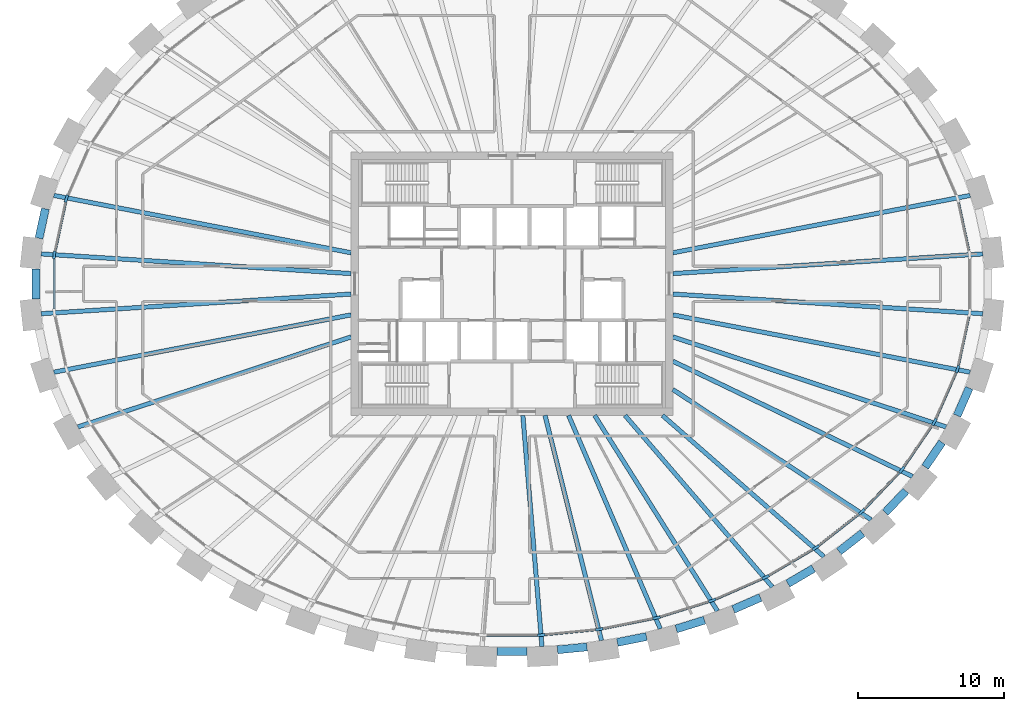
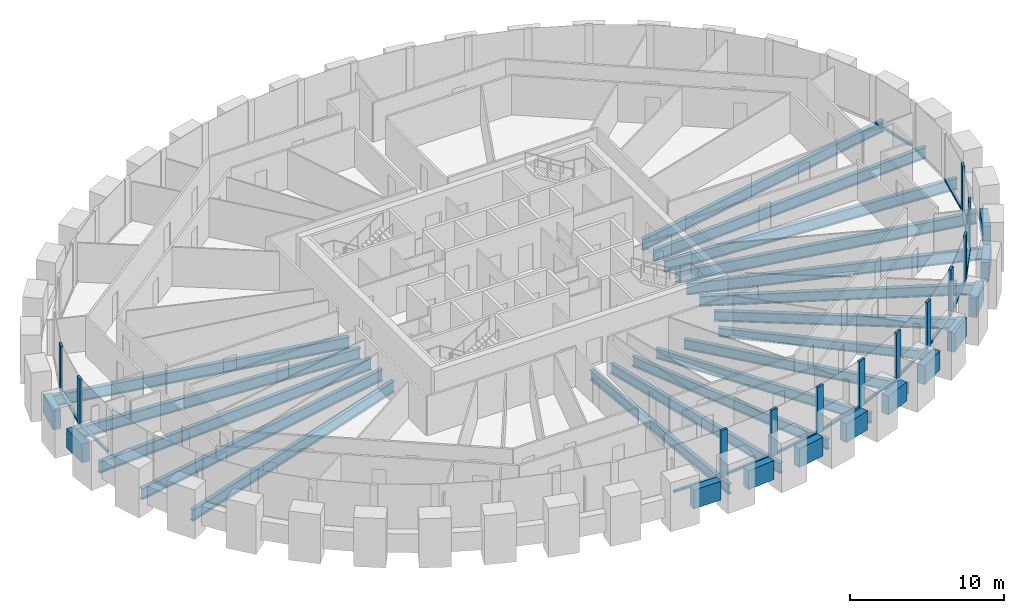
# One storey, part 2 of 12: 30 beams, 26 members, 1 element without a shape of its own.
"""IFC4 building model written with IfcOpenShell, lengths in metres."""

from ifc_helpers import new_model, si_unit, direction, frame, origin, origin_2d, place, context, subcontext, project, spatial, rectangle, i_section, extrude, source, transform, mapped, material, material_profile, profile_set, type_object, element, aggregate, save


model = new_model("IFC4")

# Units and contexts
model_context = context("Model", 3, precision=1e-05, world=origin(), true_north=direction((0.0, 1.0)))
body_context = subcontext(model_context, "Body", "Model", "MODEL_VIEW")
ifc_project = project(units=[si_unit("LENGTHUNIT", "METRE"), si_unit("AREAUNIT", "SQUARE_METRE"), si_unit("VOLUMEUNIT", "CUBIC_METRE"), si_unit("PLANEANGLEUNIT", "RADIAN"), si_unit("MASSUNIT", "GRAM", prefix="KILO")], contexts=[model_context])

# Site, building, storey
site_placement = place(None, origin())
site = spatial("IfcSite", under=ifc_project, at=site_placement, CompositionType="ELEMENT")
building_placement = place(site_placement, origin())
building = spatial("IfcBuilding", under=site, at=building_placement, Name="Embergate Tower", CompositionType="ELEMENT")
storey_placement = place(building_placement, frame((0.0, 0.0, 265.60009765625)))
storey = spatial("IfcBuildingStorey", under=building, at=storey_placement, Name="L61", CompositionType="ELEMENT", Elevation=265.60009765625)

# Beams
ifc_material_1 = material(Name="Concrete C60", Category="concrete")
ifc_material_profile_1 = material_profile(ifc_material_1, rectangle(XDim=0.550048828125, YDim=1.5, at=origin_2d()), Name="RC 550x1500")
ifc_profile_set_1 = profile_set([ifc_material_profile_1], Name="Concrete C60")
beam_type_1 = type_object("IfcBeamType", Name="Spandrel beam RC 550x1500 C60", PredefinedType="BEAM", material=ifc_profile_set_1)
shared_shape_1 = source(origin(), body_context, "Body", "SweptSolid", [
    extrude(rectangle(XDim=0.550048828125, YDim=1.5, at=origin_2d()), origin(), (0.0, 0.0, 1.0), 2.05810546875),
])
for number, where, z_axis, x_axis, name in (
    (1, (-31.910888671875, 5.12890625, 0.0), (-0.210444450804, -0.977605816843, 0.0), (0.977605816843, -0.210444450804, 0.0), "SPN-L61-20"),
    (2, (-32.56591796875, 1.029052734375, 0.0), (0.0, -1.0, 0.0), (1.0, 0.0, 0.0), "SPN-L61-21"),
):
    element("IfcBeam", number, at=place(storey_placement, frame(where, z_axis=z_axis, x_axis=x_axis)), inside=storey, type_object=beam_type_1, Name=name, PredefinedType="BEAM", context=body_context, shape_type="MappedRepresentation", body=[
        mapped(shared_shape_1, transform((0.0, 0.0, 0.0))),
    ])
shared_shape_2 = source(origin(), body_context, "Body", "SweptSolid", [
    extrude(rectangle(XDim=0.550048828125, YDim=1.5, at=origin_2d()), origin(), (0.0, 0.0, 1.0), 2.054443359375),
])
beam_1_placement = place(storey_placement, frame((30.43896484375, -9.008056640625, 0.0), z_axis=(0.402021652571, 0.915630160526, 0.0), x_axis=(-0.915630160526, 0.402021652571, 0.0)))
element("IfcBeam", 3, at=beam_1_placement, inside=storey, type_object=beam_type_1, Name="SPN-L61-41", PredefinedType="BEAM", context=body_context, shape_type="MappedRepresentation", body=[
    mapped(shared_shape_2, transform((0.0, 0.0, 0.0))),
])
shared_shape_3 = source(origin(), body_context, "Body", "SweptSolid", [
    extrude(rectangle(XDim=0.550048828125, YDim=1.5, at=origin_2d()), origin(), (0.0, 0.0, 1.0), 2.046630859375),
])
beam_2_placement = place(storey_placement, frame((28.25390625, -12.528076171875, 0.0), z_axis=(0.562466632366, 0.826819984927, 0.0), x_axis=(-0.826819984927, 0.562466632366, 0.0)))
element("IfcBeam", 4, at=beam_2_placement, inside=storey, type_object=beam_type_1, Name="SPN-L61-40", PredefinedType="BEAM", context=body_context, shape_type="MappedRepresentation", body=[
    mapped(shared_shape_3, transform((0.0, 0.0, 0.0))),
])
shared_shape_4 = source(origin(), body_context, "Body", "SweptSolid", [
    extrude(rectangle(XDim=0.550048828125, YDim=1.5, at=origin_2d()), origin(), (0.0, 0.0, 1.0), 2.042724609375),
])
beam_3_placement = place(storey_placement, frame((25.52490234375, -15.638916015625, 0.0), z_axis=(0.690299494905, 0.723523743448, 0.0), x_axis=(-0.723523743448, 0.690299494905, 0.0)))
element("IfcBeam", 5, at=beam_3_placement, inside=storey, type_object=beam_type_1, Name="SPN-L61-39", PredefinedType="BEAM", context=body_context, shape_type="MappedRepresentation", body=[
    mapped(shared_shape_4, transform((0.0, 0.0, 0.0))),
])
shared_shape_5 = source(origin(), body_context, "Body", "SweptSolid", [
    extrude(rectangle(XDim=0.550048828125, YDim=1.5, at=origin_2d()), origin(), (0.0, 0.0, 1.0), 2.038330078125),
])
beam_4_placement = place(storey_placement, frame((22.362060546875, -18.302978515625, 0.0), z_axis=(0.78838379352, 0.615183707615, 0.0), x_axis=(-0.615183707615, 0.78838379352, 0.0)))
element("IfcBeam", 6, at=beam_4_placement, inside=storey, type_object=beam_type_1, Name="SPN-L61-38", PredefinedType="BEAM", context=body_context, shape_type="MappedRepresentation", body=[
    mapped(shared_shape_5, transform((0.0, 0.0, 0.0))),
])
shared_shape_6 = source(origin(), body_context, "Body", "SweptSolid", [
    extrude(rectangle(XDim=0.550048828125, YDim=1.5, at=origin_2d()), origin(), (0.0, 0.0, 1.0), 2.0322265625),
])
beam_5_placement = place(storey_placement, frame((18.862060546875, -20.4970703125, 0.0), z_axis=(0.862048455152, 0.50682586849, 0.0), x_axis=(-0.50682586849, 0.862048455152, 0.0)))
element("IfcBeam", 7, at=beam_5_placement, inside=storey, type_object=beam_type_1, Name="SPN-L61-37", PredefinedType="BEAM", context=body_context, shape_type="MappedRepresentation", body=[
    mapped(shared_shape_6, transform((0.0, 0.0, 0.0))),
])
shared_shape_7 = source(origin(), body_context, "Body", "SweptSolid", [
    extrude(rectangle(XDim=0.550048828125, YDim=1.5, at=origin_2d()), origin(), (0.0, 0.0, 1.0), 2.03076171875),
])
beam_6_placement = place(storey_placement, frame((15.131103515625, -22.264892578125, 0.0), z_axis=(0.916361402872, 0.400352069216, 0.0), x_axis=(-0.400352069216, 0.916361402872, 0.0)))
element("IfcBeam", 8, at=beam_6_placement, inside=storey, type_object=beam_type_1, Name="SPN-L61-36", PredefinedType="BEAM", context=body_context, shape_type="MappedRepresentation", body=[
    mapped(shared_shape_7, transform((0.0, 0.0, 0.0))),
])
shared_shape_8 = source(origin(), body_context, "Body", "SweptSolid", [
    extrude(rectangle(XDim=0.550048828125, YDim=1.5, at=origin_2d()), origin(), (0.0, 0.0, 1.0), 2.02880859375),
])
beam_7_placement = place(storey_placement, frame((11.22705078125, -23.60205078125, 0.0), z_axis=(0.954800624546, 0.297246980417, 0.0), x_axis=(-0.297246980417, 0.954800624546, 0.0)))
element("IfcBeam", 9, at=beam_7_placement, inside=storey, type_object=beam_type_1, Name="SPN-L61-35", PredefinedType="BEAM", context=body_context, shape_type="MappedRepresentation", body=[
    mapped(shared_shape_8, transform((0.0, 0.0, 0.0))),
])
shared_shape_9 = source(origin(), body_context, "Body", "SweptSolid", [
    extrude(rectangle(XDim=0.550048828125, YDim=1.5, at=origin_2d()), origin(), (0.0, 0.0, 1.0), 2.02734375),
])
beam_8_placement = place(storey_placement, frame((7.2041015625, -24.52001953125, 0.0), z_axis=(0.980543602706, 0.196301409041, 0.0), x_axis=(-0.196301409041, 0.980543602706, 0.0)))
element("IfcBeam", 10, at=beam_8_placement, inside=storey, type_object=beam_type_1, Name="SPN-L61-34", PredefinedType="BEAM", context=body_context, shape_type="MappedRepresentation", body=[
    mapped(shared_shape_9, transform((0.0, 0.0, 0.0))),
])
shared_shape_10 = source(origin(), body_context, "Body", "SweptSolid", [
    extrude(rectangle(XDim=0.550048828125, YDim=1.5, at=origin_2d()), origin(), (0.0, 0.0, 1.0), 2.025634765625),
])
beam_9_placement = place(storey_placement, frame((3.111083984375, -25.028076171875, 0.0), z_axis=(0.995211067802, 0.097749324935, 0.0), x_axis=(-0.097749324935, 0.995211067802, 0.0)))
element("IfcBeam", 11, at=beam_9_placement, inside=storey, type_object=beam_type_1, Name="SPN-L61-33", PredefinedType="BEAM", context=body_context, shape_type="MappedRepresentation", body=[
    mapped(shared_shape_10, transform((0.0, 0.0, 0.0))),
])
shared_shape_11 = source(origin(), body_context, "Body", "SweptSolid", [
    extrude(rectangle(XDim=0.550048828125, YDim=1.5, at=origin_2d()), origin(), (0.0, 0.0, 1.0), 2.02587890625),
])
beam_10_placement = place(storey_placement, frame((-1.012939453125, -25.131103515625, 0.0), z_axis=(1.0, 0.0, 0.0), x_axis=(0.0, 1.0, 0.0)))
element("IfcBeam", 12, at=beam_10_placement, inside=storey, type_object=beam_type_1, Name="SPN-L61-32", PredefinedType="BEAM", context=body_context, shape_type="MappedRepresentation", body=[
    mapped(shared_shape_11, transform((0.0, 0.0, 0.0))),
])
ifc_material_2 = material(Name="Steel Q355B", Category="steel")
ifc_material_profile_2 = material_profile(ifc_material_2, i_section(OverallWidth=0.300048828125, OverallDepth=0.89990234375, WebThickness=0.01611328125, FlangeThickness=0.028076171875, FilletRadius=0.028076171875, at=origin_2d()), Name="HN 900x300x16x28")
ifc_profile_set_2 = profile_set([ifc_material_profile_2], Name="Steel Q355 grade B")
beam_type_2 = type_object("IfcBeamType", Name="Radial girder HN 900x300x16x28", PredefinedType="BEAM", material=ifc_profile_set_2)
shared_shape_12 = source(origin(), body_context, "Body", "SweptSolid", [
    extrude(i_section(OverallWidth=0.300048828125, OverallDepth=0.89990234375, WebThickness=0.01611328125, FlangeThickness=0.028076171875, FilletRadius=0.028076171875, at=origin_2d()), origin(), (0.0, 0.0, 1.0), 21.233642578125),
])
for number, where, z_axis, x_axis, name in (
    (13, (32.19091796875, 2.044921875, -0.650146484375), (-0.99798898664, -0.063387558277, 0.0), (0.063387558277, -0.99798898664, 0.0), "GIR-L61-00"),
    (14, (-32.19091796875, 2.044921875, -0.650146484375), (0.99798898664, -0.063387558277, 0.0), (0.063387558277, 0.99798898664, 0.0), "GIR-L61-21"),
    (15, (-32.19091796875, -2.044921875, -0.650146484375), (0.99798898664, 0.063387558277, 0.0), (-0.063387558277, 0.99798898664, 0.0), "GIR-L61-22"),
    (16, (32.19091796875, -2.044921875, -0.650146484375), (-0.99798898664, 0.063387558277, 0.0), (-0.063387558277, -0.99798898664, 0.0), "GIR-L61-43"),
):
    element("IfcBeam", number, at=place(storey_placement, frame(where, z_axis=z_axis, x_axis=x_axis)), inside=storey, type_object=beam_type_2, Name=name, PredefinedType="BEAM", context=body_context, shape_type="MappedRepresentation", body=[
        mapped(shared_shape_12, transform((0.0, 0.0, 0.0))),
    ])
shared_shape_13 = source(origin(), body_context, "Body", "SweptSolid", [
    extrude(i_section(OverallWidth=0.300048828125, OverallDepth=0.89990234375, WebThickness=0.01611328125, FlangeThickness=0.028076171875, FilletRadius=0.028076171875, at=origin_2d()), origin(), (0.0, 0.0, 1.0), 20.704833984375),
])
for number, where, z_axis, x_axis, name in (
    (17, (31.330078125, 6.0439453125, -0.650146484375), (-0.981896609236, -0.189417656965, 0.0), (0.189417656965, -0.981896609236, 0.0), "GIR-L61-01"),
    (18, (-31.330078125, 6.0439453125, -0.650146484375), (0.981896609236, -0.189417656965, 0.0), (0.189417656965, 0.981896609236, 0.0), "GIR-L61-20"),
    (19, (-31.330078125, -6.0439453125, -0.650146484375), (0.981896609236, 0.189417656965, 0.0), (-0.189417656965, 0.981896609236, 0.0), "GIR-L61-23"),
    (20, (31.330078125, -6.0439453125, -0.650146484375), (-0.981896609236, 0.189417656965, 0.0), (-0.189417656965, -0.981896609236, 0.0), "GIR-L61-42"),
):
    element("IfcBeam", number, at=place(storey_placement, frame(where, z_axis=z_axis, x_axis=x_axis)), inside=storey, type_object=beam_type_2, Name=name, PredefinedType="BEAM", context=body_context, shape_type="MappedRepresentation", body=[
        mapped(shared_shape_13, transform((0.0, 0.0, 0.0))),
    ])
shared_shape_14 = source(origin(), body_context, "Body", "SweptSolid", [
    extrude(i_section(OverallWidth=0.300048828125, OverallDepth=0.89990234375, WebThickness=0.01611328125, FlangeThickness=0.028076171875, FilletRadius=0.028076171875, at=origin_2d()), origin(), (0.0, 0.0, 1.0), 19.67578125),
])
for number, where, z_axis, x_axis, name in (
    (21, (-29.68603515625, -9.7900390625, -0.650146484375), (0.949693396369, 0.313181182215, 0.0), (-0.313181182215, 0.949693396369, 0.0), "GIR-L61-24"),
    (22, (29.68603515625, -9.7900390625, -0.650146484375), (-0.949693396369, 0.313181182215, 0.0), (-0.313181182215, -0.949693396369, 0.0), "GIR-L61-41"),
):
    element("IfcBeam", number, at=place(storey_placement, frame(where, z_axis=z_axis, x_axis=x_axis)), inside=storey, type_object=beam_type_2, Name=name, PredefinedType="BEAM", context=body_context, shape_type="MappedRepresentation", body=[
        mapped(shared_shape_14, transform((0.0, 0.0, 0.0))),
    ])
ifc_material_profile_3 = material_profile(ifc_material_2, i_section(OverallWidth=0.300048828125, OverallDepth=0.800048828125, WebThickness=0.013916015625, FlangeThickness=0.02587890625, FilletRadius=0.028076171875, at=origin_2d()), Name="HN 800x300x14x26")
ifc_profile_set_3 = profile_set([ifc_material_profile_3], Name="Steel Q355 grade B")
beam_type_3 = type_object("IfcBeamType", Name="Radial girder HN 800x300x14x26", PredefinedType="BEAM", material=ifc_profile_set_3)
shared_shape_15 = source(origin(), body_context, "Body", "SweptSolid", [
    extrude(i_section(OverallWidth=0.300048828125, OverallDepth=0.800048828125, WebThickness=0.013916015625, FlangeThickness=0.02587890625, FilletRadius=0.028076171875, at=origin_2d()), origin(), (0.0, 0.0, 1.0), 18.182373046875),
])
beam_11_placement = place(storey_placement, frame((27.385009765625, -13.174072265625, -0.60009765625), z_axis=(-0.901152068073, 0.433503114415, 0.0), x_axis=(-0.433503114415, -0.901152068073, 0.0)))
element("IfcBeam", 23, at=beam_11_placement, inside=storey, type_object=beam_type_3, Name="GIR-L61-40", PredefinedType="BEAM", context=body_context, shape_type="MappedRepresentation", body=[
    mapped(shared_shape_15, transform((0.0, 0.0, 0.0))),
])
shared_shape_16 = source(origin(), body_context, "Body", "SweptSolid", [
    extrude(i_section(OverallWidth=0.300048828125, OverallDepth=0.800048828125, WebThickness=0.013916015625, FlangeThickness=0.02587890625, FilletRadius=0.028076171875, at=origin_2d()), origin(), (0.0, 0.0, 1.0), 16.224853515625),
])
beam_12_placement = place(storey_placement, frame((24.56005859375, -16.135986328125, -0.60009765625), z_axis=(-0.83576092079, 0.549093510506, 0.0), x_axis=(-0.549093510506, -0.83576092079, 0.0)))
element("IfcBeam", 24, at=beam_12_placement, inside=storey, type_object=beam_type_3, Name="GIR-L61-39", PredefinedType="BEAM", context=body_context, shape_type="MappedRepresentation", body=[
    mapped(shared_shape_16, transform((0.0, 0.0, 0.0))),
])
ifc_material_profile_4 = material_profile(ifc_material_2, i_section(OverallWidth=0.300048828125, OverallDepth=0.699951171875, WebThickness=0.012939453125, FlangeThickness=0.02392578125, FilletRadius=0.01806640625, at=origin_2d()), Name="HN 700x300x13x24")
ifc_profile_set_4 = profile_set([ifc_material_profile_4], Name="Steel Q355 grade B")
beam_type_4 = type_object("IfcBeamType", Name="Radial girder HN 700x300x13x24", PredefinedType="BEAM", material=ifc_profile_set_4)
shared_shape_17 = source(origin(), body_context, "Body", "SweptSolid", [
    extrude(i_section(OverallWidth=0.300048828125, OverallDepth=0.699951171875, WebThickness=0.012939453125, FlangeThickness=0.02392578125, FilletRadius=0.01806640625, at=origin_2d()), origin(), (0.0, 0.0, 1.0), 14.66845703125),
])
beam_13_placement = place(storey_placement, frame((21.3330078125, -18.656005859375, -0.550048828125), z_axis=(-0.752770497305, 0.658283053395, 0.0), x_axis=(-0.658283053395, -0.752770497305, 0.0)))
element("IfcBeam", 25, at=beam_13_placement, inside=storey, type_object=beam_type_4, Name="GIR-L61-38", PredefinedType="BEAM", context=body_context, shape_type="MappedRepresentation", body=[
    mapped(shared_shape_17, transform((0.0, 0.0, 0.0))),
])
shared_shape_18 = source(origin(), body_context, "Body", "SweptSolid", [
    extrude(i_section(OverallWidth=0.300048828125, OverallDepth=0.800048828125, WebThickness=0.013916015625, FlangeThickness=0.02587890625, FilletRadius=0.028076171875, at=origin_2d()), origin(), (0.0, 0.0, 1.0), 15.462890625),
])
beam_14_placement = place(storey_placement, frame((17.802978515625, -20.73095703125, -0.60009765625), z_axis=(-0.651494533004, 0.75865332891, 0.0), x_axis=(-0.75865332891, -0.651494533004, 0.0)))
element("IfcBeam", 26, at=beam_14_placement, inside=storey, type_object=beam_type_3, Name="GIR-L61-37", PredefinedType="BEAM", context=body_context, shape_type="MappedRepresentation", body=[
    mapped(shared_shape_18, transform((0.0, 0.0, 0.0))),
])
shared_shape_19 = source(origin(), body_context, "Body", "SweptSolid", [
    extrude(i_section(OverallWidth=0.300048828125, OverallDepth=0.800048828125, WebThickness=0.013916015625, FlangeThickness=0.02587890625, FilletRadius=0.028076171875, at=origin_2d()), origin(), (0.0, 0.0, 1.0), 15.791015625),
])
beam_15_placement = place(storey_placement, frame((14.051025390625, -22.3720703125, -0.60009765625), z_axis=(-0.531882110567, 0.846818410557, 0.0), x_axis=(-0.846818410557, -0.531882110567, 0.0)))
element("IfcBeam", 27, at=beam_15_placement, inside=storey, type_object=beam_type_3, Name="GIR-L61-36", PredefinedType="BEAM", context=body_context, shape_type="MappedRepresentation", body=[
    mapped(shared_shape_19, transform((0.0, 0.0, 0.0))),
])
shared_shape_20 = source(origin(), body_context, "Body", "SweptSolid", [
    extrude(i_section(OverallWidth=0.300048828125, OverallDepth=0.800048828125, WebThickness=0.013916015625, FlangeThickness=0.02587890625, FilletRadius=0.028076171875, at=origin_2d()), origin(), (0.0, 0.0, 1.0), 15.881103515625),
])
beam_16_placement = place(storey_placement, frame((10.14111328125, -23.590087890625, -0.60009765625), z_axis=(-0.394946920714, 0.918703940243, 0.0), x_axis=(-0.918703940243, -0.394946920714, 0.0)))
element("IfcBeam", 28, at=beam_16_placement, inside=storey, type_object=beam_type_3, Name="GIR-L61-35", PredefinedType="BEAM", context=body_context, shape_type="MappedRepresentation", body=[
    mapped(shared_shape_20, transform((0.0, 0.0, 0.0))),
])
shared_shape_21 = source(origin(), body_context, "Body", "SweptSolid", [
    extrude(i_section(OverallWidth=0.300048828125, OverallDepth=0.800048828125, WebThickness=0.013916015625, FlangeThickness=0.02587890625, FilletRadius=0.028076171875, at=origin_2d()), origin(), (0.0, 0.0, 1.0), 15.872802734375),
])
beam_17_placement = place(storey_placement, frame((6.1240234375, -24.39501953125, -0.60009765625), z_axis=(-0.243498181484, 0.969901353548, 0.0), x_axis=(-0.969901353548, -0.243498181484, 0.0)))
element("IfcBeam", 29, at=beam_17_placement, inside=storey, type_object=beam_type_3, Name="GIR-L61-34", PredefinedType="BEAM", context=body_context, shape_type="MappedRepresentation", body=[
    mapped(shared_shape_21, transform((0.0, 0.0, 0.0))),
])
shared_shape_22 = source(origin(), body_context, "Body", "SweptSolid", [
    extrude(i_section(OverallWidth=0.300048828125, OverallDepth=0.800048828125, WebThickness=0.013916015625, FlangeThickness=0.02587890625, FilletRadius=0.028076171875, at=origin_2d()), origin(), (0.0, 0.0, 1.0), 15.849609375),
])
beam_18_placement = place(storey_placement, frame((2.048095703125, -24.7958984375, -0.60009765625), z_axis=(-0.082346886075, 0.996603727845, 0.0), x_axis=(-0.996603727845, -0.082346886075, 0.0)))
element("IfcBeam", 30, at=beam_18_placement, inside=storey, type_object=beam_type_3, Name="GIR-L61-33", PredefinedType="BEAM", context=body_context, shape_type="MappedRepresentation", body=[
    mapped(shared_shape_22, transform((0.0, 0.0, 0.0))),
])

# Curtain wall, members
ifc_material_3 = material(Name="Aluminium and glass", Category="aluminium")
curtain_wall_type = type_object("IfcCurtainWallType", Name="Recessed office glazing", PredefinedType="NOTDEFINED", material=ifc_material_3)
curtain_wall_placement = place(storey_placement, origin())
curtain_wall = element("IfcCurtainWall", 31, at=curtain_wall_placement, inside=storey, type_object=curtain_wall_type, Name="Recessed office glazing ring", ObjectType="RECESSED OFFICE GLAZING", PredefinedType="USERDEFINED")
ifc_material_4 = material(Name="Aluminium, thermally broken", Category="aluminium")
ifc_material_profile_5 = material_profile(ifc_material_4, rectangle(XDim=0.179931640625, YDim=0.52001953125, at=origin_2d()), Name="AL 520x180")
ifc_profile_set_5 = profile_set([ifc_material_profile_5], Name="Aluminium, thermally broken")
member_type_1 = type_object("IfcMemberType", Name="Office mullion", PredefinedType="MULLION", material=ifc_profile_set_5)
shared_shape_23 = source(origin(), body_context, "Body", "SweptSolid", [
    extrude(rectangle(XDim=0.179931640625, YDim=0.52001953125, at=origin_2d()), origin(), (0.0, 0.0, 1.0), 3.699951171875),
])
member_1_placement = place(storey_placement, frame((-30.47119140625, 5.82861328125, 0.0), z_axis=(0.0, 0.0, 1.0), x_axis=(0.951492965233, -0.307670500881, 0.0)))
member_1 = element("IfcMember", 32, at=member_1_placement, type_object=member_type_1, Name="CW mullion 21", PredefinedType="MULLION", context=body_context, shape_type="MappedRepresentation", body=[
    mapped(shared_shape_23, transform((0.0, 0.0, 0.0))),
])
member_2_placement = place(storey_placement, frame((-31.301513671875, 1.971435546875, 0.0), z_axis=(0.0, 0.0, 1.0), x_axis=(0.994384215926, -0.105830199459, 0.0)))
member_2 = element("IfcMember", 33, at=member_2_placement, type_object=member_type_1, Name="CW mullion 22", PredefinedType="MULLION", context=body_context, shape_type="MappedRepresentation", body=[
    mapped(shared_shape_23, transform((0.0, 0.0, 0.0))),
])
member_3_placement = place(storey_placement, frame((1.9970703125, -24.020263671875, 0.0), z_axis=(0.0, 0.0, 1.0), x_axis=(-0.048970053385, 0.998800247232, 0.0)))
member_3 = element("IfcMember", 34, at=member_3_placement, type_object=member_type_1, Name="CW mullion 34", PredefinedType="MULLION", context=body_context, shape_type="MappedRepresentation", body=[
    mapped(shared_shape_23, transform((0.0, 0.0, 0.0))),
])
member_4_placement = place(storey_placement, frame((5.9716796875, -23.629638671875, 0.0), z_axis=(0.0, 0.0, 1.0), x_axis=(-0.147408930294, 0.989075632735, 0.0)))
member_4 = element("IfcMember", 35, at=member_4_placement, type_object=member_type_1, Name="CW mullion 35", PredefinedType="MULLION", context=body_context, shape_type="MappedRepresentation", body=[
    mapped(shared_shape_23, transform((0.0, 0.0, 0.0))),
])
member_5_placement = place(storey_placement, frame((9.885986328125, -22.844482421875, 0.0), z_axis=(0.0, 0.0, 1.0), x_axis=(-0.24730680803, 0.968937223303, 0.0)))
member_5 = element("IfcMember", 36, at=member_5_placement, type_object=member_type_1, Name="CW mullion 36", PredefinedType="MULLION", context=body_context, shape_type="MappedRepresentation", body=[
    mapped(shared_shape_23, transform((0.0, 0.0, 0.0))),
])
member_6_placement = place(storey_placement, frame((13.69580078125, -21.657958984375, 0.0), z_axis=(0.0, 0.0, 1.0), x_axis=(-0.349496141799, 0.936937803094, 0.0)))
member_6 = element("IfcMember", 37, at=member_6_placement, type_object=member_type_1, Name="CW mullion 37", PredefinedType="MULLION", context=body_context, shape_type="MappedRepresentation", body=[
    mapped(shared_shape_23, transform((0.0, 0.0, 0.0))),
])
member_7_placement = place(storey_placement, frame((17.34912109375, -20.060791015625, 0.0), z_axis=(0.0, 0.0, 1.0), x_axis=(-0.454503607328, 0.89074489666, 0.0)))
member_7 = element("IfcMember", 38, at=member_7_placement, type_object=member_type_1, Name="CW mullion 38", PredefinedType="MULLION", context=body_context, shape_type="MappedRepresentation", body=[
    mapped(shared_shape_23, transform((0.0, 0.0, 0.0))),
])
member_8_placement = place(storey_placement, frame((20.781982421875, -18.042236328125, 0.0), z_axis=(0.0, 0.0, 1.0), x_axis=(-0.562207514921, 0.82699619719, 0.0)))
member_8 = element("IfcMember", 39, at=member_8_placement, type_object=member_type_1, Name="CW mullion 39", PredefinedType="MULLION", context=body_context, shape_type="MappedRepresentation", body=[
    mapped(shared_shape_23, transform((0.0, 0.0, 0.0))),
])
member_9_placement = place(storey_placement, frame((23.9169921875, -15.595703125, 0.0), z_axis=(0.0, 0.0, 1.0), x_axis=(-0.671216184057, 0.741261650337, 0.0)))
member_9 = element("IfcMember", 40, at=member_9_placement, type_object=member_type_1, Name="CW mullion 40", PredefinedType="MULLION", context=body_context, shape_type="MappedRepresentation", body=[
    mapped(shared_shape_23, transform((0.0, 0.0, 0.0))),
])
member_10_placement = place(storey_placement, frame((26.656494140625, -12.72314453125, 0.0), z_axis=(0.0, 0.0, 1.0), x_axis=(-0.777861596203, 0.628435626897, 0.0)))
member_10 = element("IfcMember", 41, at=member_10_placement, type_object=member_type_1, Name="CW mullion 41", PredefinedType="MULLION", context=body_context, shape_type="MappedRepresentation", body=[
    mapped(shared_shape_23, transform((0.0, 0.0, 0.0))),
])
member_11_placement = place(storey_placement, frame((28.8837890625, -9.447998046875, 0.0), z_axis=(0.0, 0.0, 1.0), x_axis=(-0.874992601244, 0.484136290489, 0.0)))
member_11 = element("IfcMember", 42, at=member_11_placement, type_object=member_type_1, Name="CW mullion 42", PredefinedType="MULLION", context=body_context, shape_type="MappedRepresentation", body=[
    mapped(shared_shape_23, transform((0.0, 0.0, 0.0))),
])
member_12_placement = place(storey_placement, frame((30.47119140625, -5.82861328125, 0.0), z_axis=(0.0, 0.0, 1.0), x_axis=(-0.951492965233, 0.307670500881, 0.0)))
member_12 = element("IfcMember", 43, at=member_12_placement, type_object=member_type_1, Name="CW mullion 43", PredefinedType="MULLION", context=body_context, shape_type="MappedRepresentation", body=[
    mapped(shared_shape_23, transform((0.0, 0.0, 0.0))),
])
ifc_material_profile_6 = material_profile(ifc_material_4, rectangle(XDim=0.179931640625, YDim=0.14990234375, at=origin_2d()), Name="AL 150x180")
ifc_profile_set_6 = profile_set([ifc_material_profile_6], Name="Aluminium, thermally broken")
member_type_2 = type_object("IfcMemberType", Name="Office sill transom", PredefinedType="USERDEFINED", material=ifc_profile_set_6)
shared_shape_24 = source(origin(), body_context, "Body", "SweptSolid", [
    extrude(rectangle(XDim=0.179931640625, YDim=0.14990234375, at=origin_2d()), origin(), (0.0, 0.0, 1.0), 3.42529296875),
])
member_13_placement = place(storey_placement, frame((31.24658203125, 2.2255859375, 0.074951171875), z_axis=(-0.210405171299, 0.977614271526, 0.0), x_axis=(-0.977614271526, -0.210405171299, 0.0)))
member_13 = element("IfcMember", 44, at=member_13_placement, type_object=member_type_2, Name="CW transom 1.1", ObjectType="TRANSOM", PredefinedType="USERDEFINED", context=body_context, shape_type="MappedRepresentation", body=[
    mapped(shared_shape_24, transform((0.0, 0.0, 0.0))),
])
member_14_placement = place(storey_placement, frame((-30.52587890625, 5.57421875, 0.074951171875), z_axis=(-0.210405171299, -0.977614271526, 0.0), x_axis=(0.977614271526, -0.210405171299, 0.0)))
member_14 = element("IfcMember", 45, at=member_14_placement, type_object=member_type_2, Name="CW transom 21.1", ObjectType="TRANSOM", PredefinedType="USERDEFINED", context=body_context, shape_type="MappedRepresentation", body=[
    mapped(shared_shape_24, transform((0.0, 0.0, 0.0))),
])
member_15_placement = place(storey_placement, frame((30.52587890625, -5.57421875, 0.074951171875), z_axis=(0.210405171299, 0.977614271526, 0.0), x_axis=(-0.977614271526, 0.210405171299, 0.0)))
member_15 = element("IfcMember", 46, at=member_15_placement, type_object=member_type_2, Name="CW transom 43.1", ObjectType="TRANSOM", PredefinedType="USERDEFINED", context=body_context, shape_type="MappedRepresentation", body=[
    mapped(shared_shape_24, transform((0.0, 0.0, 0.0))),
])
shared_shape_25 = source(origin(), body_context, "Body", "SweptSolid", [
    extrude(rectangle(XDim=0.179931640625, YDim=0.14990234375, at=origin_2d()), origin(), (0.0, 0.0, 1.0), 3.43212890625),
])
member_16_placement = place(storey_placement, frame((28.98828125, -9.209716796875, 0.074951171875), z_axis=(0.401632188585, 0.915801061963, 0.0), x_axis=(-0.915801061963, 0.401632188585, 0.0)))
member_16 = element("IfcMember", 47, at=member_16_placement, type_object=member_type_2, Name="CW transom 42.1", ObjectType="TRANSOM", PredefinedType="USERDEFINED", context=body_context, shape_type="MappedRepresentation", body=[
    mapped(shared_shape_25, transform((0.0, 0.0, 0.0))),
])
shared_shape_26 = source(origin(), body_context, "Body", "SweptSolid", [
    extrude(rectangle(XDim=0.179931640625, YDim=0.14990234375, at=origin_2d()), origin(), (0.0, 0.0, 1.0), 3.44091796875),
])
member_17_placement = place(storey_placement, frame((26.802490234375, -12.508056640625, 0.074951171875), z_axis=(0.562372122954, 0.826884269607, 0.0), x_axis=(-0.826884269607, 0.562372122954, 0.0)))
member_17 = element("IfcMember", 48, at=member_17_placement, type_object=member_type_2, Name="CW transom 41.1", ObjectType="TRANSOM", PredefinedType="USERDEFINED", context=body_context, shape_type="MappedRepresentation", body=[
    mapped(shared_shape_26, transform((0.0, 0.0, 0.0))),
])
shared_shape_27 = source(origin(), body_context, "Body", "SweptSolid", [
    extrude(rectangle(XDim=0.179931640625, YDim=0.14990234375, at=origin_2d()), origin(), (0.0, 0.0, 1.0), 3.449462890625),
])
member_18_placement = place(storey_placement, frame((24.096435546875, -15.407470703125, 0.074951171875), z_axis=(0.690133956855, 0.723681643815, 0.0), x_axis=(-0.723681643815, 0.690133956855, 0.0)))
member_18 = element("IfcMember", 49, at=member_18_placement, type_object=member_type_2, Name="CW transom 40.1", ObjectType="TRANSOM", PredefinedType="USERDEFINED", context=body_context, shape_type="MappedRepresentation", body=[
    mapped(shared_shape_27, transform((0.0, 0.0, 0.0))),
])
shared_shape_28 = source(origin(), body_context, "Body", "SweptSolid", [
    extrude(rectangle(XDim=0.179931640625, YDim=0.14990234375, at=origin_2d()), origin(), (0.0, 0.0, 1.0), 3.456787109375),
])
member_19_placement = place(storey_placement, frame((20.987060546875, -17.88232421875, 0.074951171875), z_axis=(0.788343354806, 0.615235528016, 0.0), x_axis=(-0.615235528016, 0.788343354806, 0.0)))
member_19 = element("IfcMember", 50, at=member_19_placement, type_object=member_type_2, Name="CW transom 39.1", ObjectType="TRANSOM", PredefinedType="USERDEFINED", context=body_context, shape_type="MappedRepresentation", body=[
    mapped(shared_shape_28, transform((0.0, 0.0, 0.0))),
])
shared_shape_29 = source(origin(), body_context, "Body", "SweptSolid", [
    extrude(rectangle(XDim=0.179931640625, YDim=0.14990234375, at=origin_2d()), origin(), (0.0, 0.0, 1.0), 3.462646484375),
])
member_20_placement = place(storey_placement, frame((17.572998046875, -19.928955078125, 0.074951171875), z_axis=(0.862068308193, 0.506792099394, 0.0), x_axis=(-0.506792099394, 0.862068308193, 0.0)))
member_20 = element("IfcMember", 51, at=member_20_placement, type_object=member_type_2, Name="CW transom 38.1", ObjectType="TRANSOM", PredefinedType="USERDEFINED", context=body_context, shape_type="MappedRepresentation", body=[
    mapped(shared_shape_29, transform((0.0, 0.0, 0.0))),
])
shared_shape_30 = source(origin(), body_context, "Body", "SweptSolid", [
    extrude(rectangle(XDim=0.179931640625, YDim=0.14990234375, at=origin_2d()), origin(), (0.0, 0.0, 1.0), 3.467041015625),
])
member_21_placement = place(storey_placement, frame((13.93408203125, -21.553955078125, 0.074951171875), z_axis=(0.916217122843, 0.400682148104, 0.0), x_axis=(-0.400682148104, 0.916217122843, 0.0)))
member_21 = element("IfcMember", 52, at=member_21_placement, type_object=member_type_2, Name="CW transom 37.1", ObjectType="TRANSOM", PredefinedType="USERDEFINED", context=body_context, shape_type="MappedRepresentation", body=[
    mapped(shared_shape_30, transform((0.0, 0.0, 0.0))),
])
shared_shape_31 = source(origin(), body_context, "Body", "SweptSolid", [
    extrude(rectangle(XDim=0.179931640625, YDim=0.14990234375, at=origin_2d()), origin(), (0.0, 0.0, 1.0), 3.470458984375),
])
member_22_placement = place(storey_placement, frame((10.13427734375, -22.76708984375, 0.074951171875), z_axis=(0.954784910088, 0.297297452846, 0.0), x_axis=(-0.297297452846, 0.954784910088, 0.0)))
member_22 = element("IfcMember", 53, at=member_22_placement, type_object=member_type_2, Name="CW transom 36.1", ObjectType="TRANSOM", PredefinedType="USERDEFINED", context=body_context, shape_type="MappedRepresentation", body=[
    mapped(shared_shape_31, transform((0.0, 0.0, 0.0))),
])
shared_shape_32 = source(origin(), body_context, "Body", "SweptSolid", [
    extrude(rectangle(XDim=0.179931640625, YDim=0.14990234375, at=origin_2d()), origin(), (0.0, 0.0, 1.0), 3.472412109375),
])
member_23_placement = place(storey_placement, frame((6.2265625, -23.578369140625, 0.074951171875), z_axis=(0.980472357372, 0.196656951134, 0.0), x_axis=(-0.196656951134, 0.980472357372, 0.0)))
member_23 = element("IfcMember", 54, at=member_23_placement, type_object=member_type_2, Name="CW transom 35.1", ObjectType="TRANSOM", PredefinedType="USERDEFINED", context=body_context, shape_type="MappedRepresentation", body=[
    mapped(shared_shape_32, transform((0.0, 0.0, 0.0))),
])
shared_shape_33 = source(origin(), body_context, "Body", "SweptSolid", [
    extrude(rectangle(XDim=0.179931640625, YDim=0.14990234375, at=origin_2d()), origin(), (0.0, 0.0, 1.0), 3.4736328125),
])
member_24_placement = place(storey_placement, frame((2.255859375, -23.994873046875, 0.074951171875), z_axis=(0.99520279702, 0.0978334953, 0.0), x_axis=(-0.0978334953, 0.99520279702, 0.0)))
member_24 = element("IfcMember", 55, at=member_24_placement, type_object=member_type_2, Name="CW transom 34.1", ObjectType="TRANSOM", PredefinedType="USERDEFINED", context=body_context, shape_type="MappedRepresentation", body=[
    mapped(shared_shape_33, transform((0.0, 0.0, 0.0))),
])
shared_shape_34 = source(origin(), body_context, "Body", "SweptSolid", [
    extrude(rectangle(XDim=0.179931640625, YDim=0.14990234375, at=origin_2d()), origin(), (0.0, 0.0, 1.0), 3.47412109375),
])
member_25_placement = place(storey_placement, frame((-1.737060546875, -24.020263671875, 0.074951171875), z_axis=(1.0, 0.0, 0.0), x_axis=(0.0, 1.0, 0.0)))
member_25 = element("IfcMember", 56, at=member_25_placement, type_object=member_type_2, Name="CW transom 33.1", ObjectType="TRANSOM", PredefinedType="USERDEFINED", context=body_context, shape_type="MappedRepresentation", body=[
    mapped(shared_shape_34, transform((0.0, 0.0, 0.0))),
])
shared_shape_35 = source(origin(), body_context, "Body", "SweptSolid", [
    extrude(rectangle(XDim=0.179931640625, YDim=0.14990234375, at=origin_2d()), origin(), (0.0, 0.0, 1.0), 3.4228515625),
])
member_26_placement = place(storey_placement, frame((-31.301513671875, 1.71142578125, 0.074951171875), z_axis=(0.0, -1.0, 0.0), x_axis=(1.0, 0.0, 0.0)))
member_26 = element("IfcMember", 57, at=member_26_placement, type_object=member_type_2, Name="CW transom 22.1", ObjectType="TRANSOM", PredefinedType="USERDEFINED", context=body_context, shape_type="MappedRepresentation", body=[
    mapped(shared_shape_35, transform((0.0, 0.0, 0.0))),
])
aggregate(curtain_wall, [member_1, member_2, member_3, member_4, member_5, member_6, member_7, member_8, member_9, member_10, member_11, member_12, member_13, member_14, member_26, member_25, member_24, member_23, member_22, member_21, member_20, member_19, member_18, member_17, member_16, member_15])

save(model, "model.ifc")
